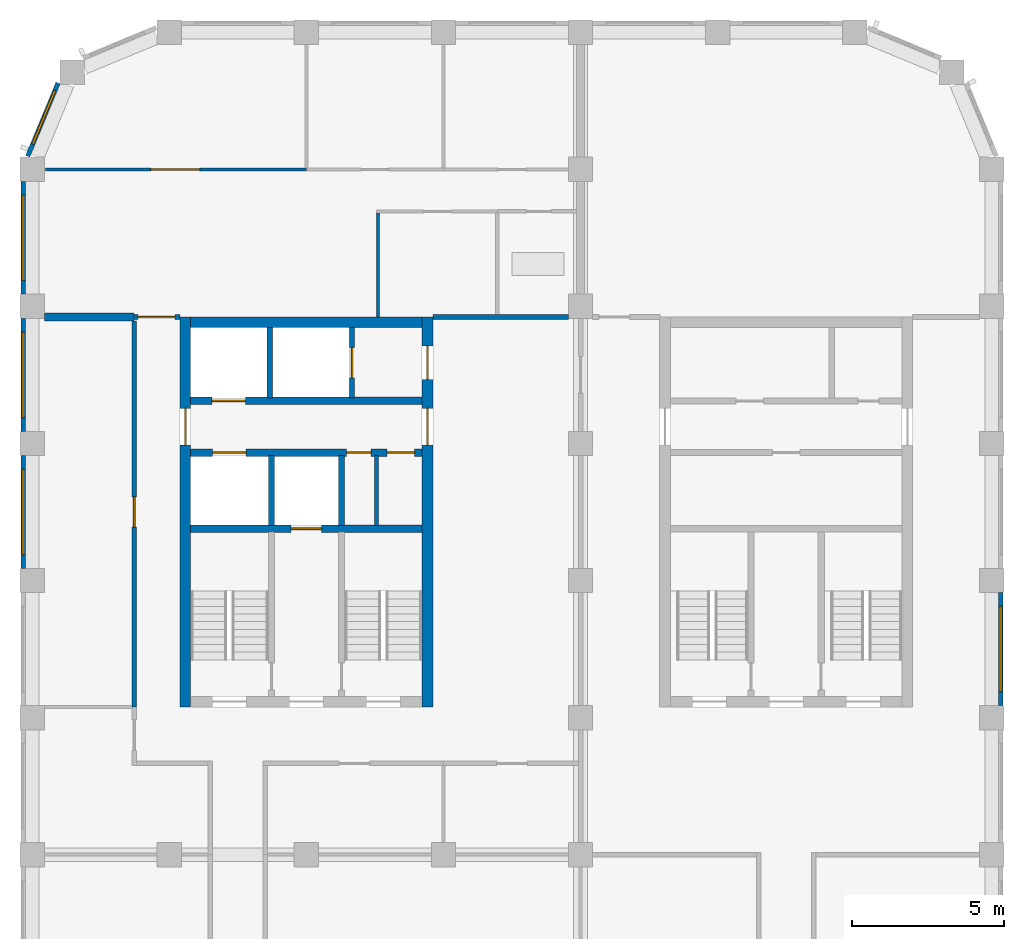
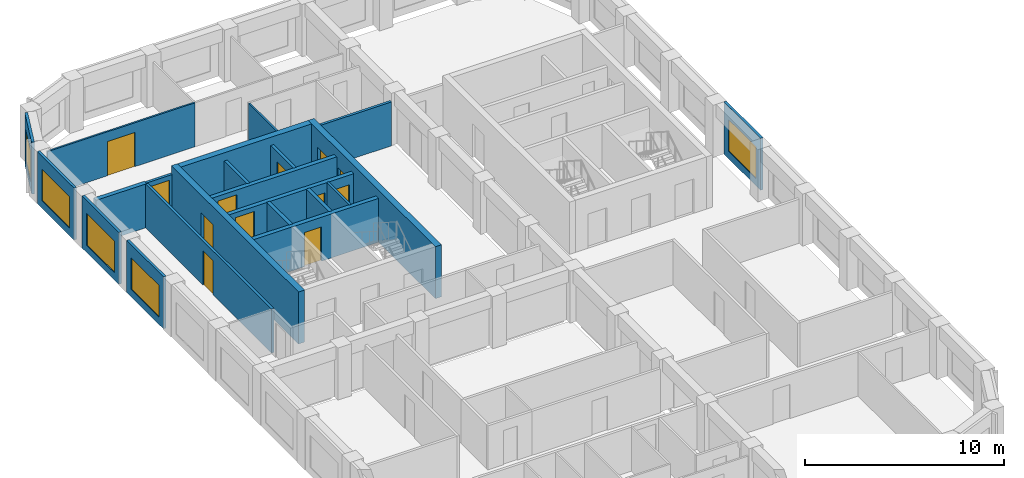
# One storey, part 5 of 9: 22 walls, 12 doors, 5 windows, 17 openings.
"""IFC4 building model written with IfcOpenShell, lengths in metres."""

from ifc_helpers import new_model, si_unit, direction, frame, frame_2d, origin, place, context, subcontext, project, spatial, rectangle, extrude, material, layer, layer_set, type_object, element, fill, save


model = new_model("IFC4")

# Units and contexts
model_context = context("Model", 3, precision=1e-05, world=origin(), true_north=direction((0.0, 1.0)))
body_context = subcontext(model_context, "Body", "Model", "MODEL_VIEW")
ifc_project = project(units=[si_unit("LENGTHUNIT", "METRE"), si_unit("AREAUNIT", "SQUARE_METRE"), si_unit("VOLUMEUNIT", "CUBIC_METRE"), si_unit("PLANEANGLEUNIT", "RADIAN"), si_unit("MASSUNIT", "GRAM", prefix="KILO")], contexts=[model_context])

# Site, building, storey
site_placement = place(None, origin())
site = spatial("IfcSite", under=ifc_project, at=site_placement, CompositionType="ELEMENT")
building_placement = place(site_placement, origin())
building = spatial("IfcBuilding", under=site, at=building_placement, Name="Girih Gate Residences", CompositionType="ELEMENT")
storey_placement = place(building_placement, frame((0.0, 0.0, 198.699951171875)))
storey = spatial("IfcBuildingStorey", under=building, at=storey_placement, Name="L55", CompositionType="ELEMENT", Elevation=198.699951171875)

# Wall
ifc_material_1 = material(Name="Gypsum board on steel studs", Category="steel")
ifc_layer_1 = layer(ifc_material_1, 0.25)
ifc_layer_set_1 = layer_set([ifc_layer_1], Name="Acoustic separating wall 250 mm")
wall_type_1 = type_object("IfcWallType", Name="Acoustic separating wall 250 mm", PredefinedType="PARTITIONING", material=ifc_layer_set_1)
wall_1_placement = place(storey_placement, frame((0.39990234375, 40.14990234375, 0.0), z_axis=(0.0, 0.0, 1.0), x_axis=(1.0, 0.0, 0.0)))
element("IfcWall", 1, at=wall_1_placement, inside=storey, type_object=wall_type_1, Name="L55 partition", PredefinedType="PARTITIONING", context=body_context, shape_type="SweptSolid", body=[
    extrude(rectangle(XDim=2.9501953125, YDim=0.25, at=frame_2d((1.47509765625, 0.0))), origin(), (0.0, 0.0, 1.0), 2.699951171875),
])

# Wall, opening, door
ifc_layer_2 = layer(ifc_material_1, 0.14990234375)
ifc_layer_set_2 = layer_set([ifc_layer_2], Name="Compartment wall 150 mm")
wall_type_2 = type_object("IfcWallType", Name="Compartment wall 150 mm", PredefinedType="PARTITIONING", material=ifc_layer_set_2)
wall_2_placement = place(storey_placement, frame((3.35009765625, 40.14990234375, 0.0), z_axis=(0.0, 0.0, 1.0), x_axis=(1.0, 0.0, 0.0)))
wall_2 = element("IfcWall", 2, at=wall_2_placement, inside=storey, type_object=wall_type_2, Name="L55 partition", PredefinedType="PARTITIONING", context=body_context, shape_type="SweptSolid", body=[
    extrude(rectangle(XDim=1.5, YDim=0.14990234375, at=frame_2d((0.75, 0.0))), origin(), (0.0, 0.0, 1.0), 2.699951171875),
])
opening_1_placement = place(wall_2_placement, frame((0.1298828125, 0.0, 0.0)))
opening_1 = element("IfcOpeningElement", 3, at=opening_1_placement, cuts=wall_2, Name="Opening A55-016", PredefinedType="OPENING", context=body_context, shape_type="SweptSolid", body=[
    extrude(rectangle(XDim=1.199951171875, YDim=2.39990234375, at=frame_2d((0.60009765625, 1.199951171875))), frame((0.0, 0.0849609375, 0.0), z_axis=(0.0, -1.0, 0.0), x_axis=(1.0, 0.0, 0.0)), (0.0, 0.0, 1.0), 0.169921875),
])
ifc_material_2 = material(Name="Timber, fire-rated core", Category="wood")
door_type_1 = type_object("IfcDoorType", Name="Villa entrance door 1200x2400 FD30S", OperationType="NOTDEFINED", PredefinedType="DOOR", material=ifc_material_2)
door_1_placement = place(opening_1_placement, origin())
door_1 = element("IfcDoor", 4, at=door_1_placement, inside=storey, type_object=door_type_1, Name="Door A55-016", OperationType="SINGLE_SWING_LEFT", OverallHeight=2.39990234375, OverallWidth=1.199951171875, PredefinedType="DOOR", context=body_context, shape_type="SweptSolid", body=[
    extrude(rectangle(XDim=1.199951171875, YDim=2.39990234375, at=frame_2d((0.60009765625, 1.199951171875))), frame((0.0, 0.02490234375, 0.0), z_axis=(0.0, -1.0, 0.0), x_axis=(1.0, 0.0, 0.0)), (0.0, 0.0, 1.0), 0.050048828125),
])
fill(opening_1, door_1)

# Wall
wall_3_placement = place(storey_placement, frame((13.14990234375, 40.14990234375, 0.0), z_axis=(0.0, 0.0, 1.0), x_axis=(1.0, 0.0, 0.0)))
element("IfcWall", 5, at=wall_3_placement, inside=storey, type_object=wall_type_2, Name="L55 partition", PredefinedType="PARTITIONING", context=body_context, shape_type="SweptSolid", body=[
    extrude(rectangle(XDim=4.4501953125, YDim=0.14990234375, at=frame_2d((2.22509765625, 0.0))), origin(), (0.0, 0.0, 1.0), 2.699951171875),
])

# Wall, opening, door
wall_4_placement = place(storey_placement, frame((3.35009765625, 27.35009765625, 0.0), z_axis=(0.0, 0.0, 1.0), x_axis=(0.0, 1.0, 0.0)))
wall_4 = element("IfcWall", 6, at=wall_4_placement, inside=storey, type_object=wall_type_2, Name="L55 partition", PredefinedType="PARTITIONING", context=body_context, shape_type="SweptSolid", body=[
    extrude(rectangle(XDim=12.6748046875, YDim=0.14990234375, at=frame_2d((6.33740234375, 0.0))), origin(), (0.0, 0.0, 1.0), 2.699951171875),
])
opening_2_placement = place(wall_4_placement, frame((5.89990234375, 0.0, 0.0)))
opening_2 = element("IfcOpeningElement", 7, at=opening_2_placement, cuts=wall_4, Name="Opening A55-029", PredefinedType="OPENING", context=body_context, shape_type="SweptSolid", body=[
    extrude(rectangle(XDim=1.0, YDim=2.10009765625, at=frame_2d((0.5, 1.050048828125))), frame((0.0, 0.0849609375, 0.0), z_axis=(0.0, -1.0, 0.0), x_axis=(1.0, 0.0, 0.0)), (0.0, 0.0, 1.0), 0.169921875),
])
door_type_2 = type_object("IfcDoorType", Name="Amenity room door 1000x2100 FD30S", OperationType="NOTDEFINED", PredefinedType="DOOR", material=ifc_material_2)
door_2_placement = place(opening_2_placement, origin())
door_2 = element("IfcDoor", 8, at=door_2_placement, inside=storey, type_object=door_type_2, Name="Door A55-029", OperationType="SINGLE_SWING_RIGHT", OverallHeight=2.10009765625, OverallWidth=1.0, PredefinedType="DOOR", context=body_context, shape_type="SweptSolid", body=[
    extrude(rectangle(XDim=1.0, YDim=2.10009765625, at=frame_2d((0.5, 1.050048828125))), frame((0.0, 0.02490234375, 0.0), z_axis=(0.0, -1.0, 0.0), x_axis=(1.0, 0.0, 0.0)), (0.0, 0.0, 1.0), 0.050048828125),
])
fill(opening_2, door_2)

# Wall
ifc_material_3 = material(Name="Concrete C60/75", Category="concrete")
ifc_layer_3 = layer(ifc_material_3, 0.35009765625)
ifc_layer_set_3 = layer_set([ifc_layer_3], Name="Core wall RC 350 Concrete C60/75")
wall_type_3 = type_object("IfcWallType", Name="Core wall RC 350 Concrete C60/75", PredefinedType="SOLIDWALL", material=ifc_layer_set_3)
wall_5_placement = place(storey_placement, frame((5.199951171875, 39.97509765625, 0.0), z_axis=(0.0, 0.0, 1.0), x_axis=(1.0, 0.0, 0.0)))
element("IfcWall", 9, at=wall_5_placement, inside=storey, type_object=wall_type_3, Name="Core wall W-N L55", PredefinedType="SOLIDWALL", context=body_context, shape_type="SweptSolid", body=[
    extrude(rectangle(XDim=7.60009765625, YDim=0.35009765625, at=frame_2d((3.800048828125, 0.0))), origin(), (0.0, 0.0, 1.0), 3.199951171875),
])

# Wall, opening, door
wall_6_placement = place(storey_placement, frame((5.02490234375, 27.35009765625, 0.0), z_axis=(0.0, 0.0, 1.0), x_axis=(0.0, 1.0, 0.0)))
wall_6 = element("IfcWall", 10, at=wall_6_placement, inside=storey, type_object=wall_type_3, Name="Core wall W-W L55", PredefinedType="SOLIDWALL", context=body_context, shape_type="SweptSolid", body=[
    extrude(rectangle(XDim=12.7998046875, YDim=0.35009765625, at=frame_2d((6.39990234375, 0.0))), origin(), (0.0, 0.0, 1.0), 3.199951171875),
])
opening_3_placement = place(wall_6_placement, frame((8.60009765625, 0.0, 0.0)))
opening_3 = element("IfcOpeningElement", 11, at=opening_3_placement, cuts=wall_6, Name="Opening D-L55-W-013", PredefinedType="OPENING", context=body_context, shape_type="SweptSolid", body=[
    extrude(rectangle(XDim=1.199951171875, YDim=2.10009765625, at=frame_2d((0.60009765625, 1.050048828125))), frame((0.0, 0.18505859375, 0.0), z_axis=(0.0, -1.0, 0.0), x_axis=(1.0, 0.0, 0.0)), (0.0, 0.0, 1.0), 0.3701171875),
])
ifc_material_4 = material(Name="Painted steel, fire-resisting", Category="steel")
door_type_3 = type_object("IfcDoorType", Name="Fire door 1200x2100", OperationType="SINGLE_SWING_LEFT", PredefinedType="DOOR", material=ifc_material_4)
door_3_placement = place(opening_3_placement, origin())
door_3 = element("IfcDoor", 12, at=door_3_placement, inside=storey, type_object=door_type_3, Name="L55 W core door ll-w", OperationType="SINGLE_SWING_LEFT", OverallHeight=2.10009765625, OverallWidth=1.199951171875, PredefinedType="DOOR", context=body_context, shape_type="SweptSolid", body=[
    extrude(rectangle(XDim=1.199951171875, YDim=2.10009765625, at=frame_2d((0.60009765625, 1.050048828125))), frame((0.0, 0.02490234375, 0.0), z_axis=(0.0, -1.0, 0.0), x_axis=(1.0, 0.0, 0.0)), (0.0, 0.0, 1.0), 0.050048828125),
])
fill(opening_3, door_3)

# Wall, openings, doors
wall_7_placement = place(storey_placement, frame((12.97509765625, 27.35009765625, 0.0), z_axis=(0.0, 0.0, 1.0), x_axis=(0.0, 1.0, 0.0)))
wall_7 = element("IfcWall", 13, at=wall_7_placement, inside=storey, type_object=wall_type_3, Name="Core wall W-E L55", PredefinedType="SOLIDWALL", context=body_context, shape_type="SweptSolid", body=[
    extrude(rectangle(XDim=12.7998046875, YDim=0.35009765625, at=frame_2d((6.39990234375, 0.0))), origin(), (0.0, 0.0, 1.0), 3.199951171875),
])
opening_4_placement = place(wall_7_placement, frame((10.75, 0.0, 0.0)))
opening_4 = element("IfcOpeningElement", 14, at=opening_4_placement, cuts=wall_7, Name="Opening D-L55-W-012", PredefinedType="OPENING", context=body_context, shape_type="SweptSolid", body=[
    extrude(rectangle(XDim=1.10009765625, YDim=2.10009765625, at=frame_2d((0.550048828125, 1.050048828125))), frame((0.0, 0.18505859375, 0.0), z_axis=(0.0, -1.0, 0.0), x_axis=(1.0, 0.0, 0.0)), (0.0, 0.0, 1.0), 0.3701171875),
])
opening_5_placement = place(wall_7_placement, frame((8.60009765625, 0.0, 0.0)))
opening_5 = element("IfcOpeningElement", 15, at=opening_5_placement, cuts=wall_7, Name="Opening D-L55-W-014", PredefinedType="OPENING", context=body_context, shape_type="SweptSolid", body=[
    extrude(rectangle(XDim=1.199951171875, YDim=2.10009765625, at=frame_2d((0.60009765625, 1.050048828125))), frame((0.0, 0.18505859375, 0.0), z_axis=(0.0, -1.0, 0.0), x_axis=(1.0, 0.0, 0.0)), (0.0, 0.0, 1.0), 0.3701171875),
])
door_type_4 = type_object("IfcDoorType", Name="Fire door 1100x2100", OperationType="SINGLE_SWING_LEFT", PredefinedType="DOOR", material=ifc_material_4)
door_4_placement = place(opening_4_placement, origin())
door_4 = element("IfcDoor", 16, at=door_4_placement, inside=storey, type_object=door_type_4, Name="L55 W core door ffl2-e", OperationType="SINGLE_SWING_LEFT", OverallHeight=2.10009765625, OverallWidth=1.10009765625, PredefinedType="DOOR", context=body_context, shape_type="SweptSolid", body=[
    extrude(rectangle(XDim=1.10009765625, YDim=2.10009765625, at=frame_2d((0.550048828125, 1.050048828125))), frame((0.0, 0.02490234375, 0.0), z_axis=(0.0, -1.0, 0.0), x_axis=(1.0, 0.0, 0.0)), (0.0, 0.0, 1.0), 0.050048828125),
])
fill(opening_4, door_4)
door_5_placement = place(opening_5_placement, origin())
door_5 = element("IfcDoor", 17, at=door_5_placement, inside=storey, type_object=door_type_3, Name="L55 W core door ll-e", OperationType="SINGLE_SWING_LEFT", OverallHeight=2.10009765625, OverallWidth=1.199951171875, PredefinedType="DOOR", context=body_context, shape_type="SweptSolid", body=[
    extrude(rectangle(XDim=1.199951171875, YDim=2.10009765625, at=frame_2d((0.60009765625, 1.050048828125))), frame((0.0, 0.02490234375, 0.0), z_axis=(0.0, -1.0, 0.0), x_axis=(1.0, 0.0, 0.0)), (0.0, 0.0, 1.0), 0.050048828125),
])
fill(opening_5, door_5)

# Wall, opening, door
ifc_material_5 = material(Name="Concrete C40/50", Category="concrete")
ifc_layer_4 = layer(ifc_material_5, 0.25)
ifc_layer_set_4 = layer_set([ifc_layer_4], Name="Lift shaft wall 250")
wall_type_4 = type_object("IfcWallType", Name="Lift shaft wall 250", PredefinedType="SOLIDWALL", material=ifc_layer_set_4)
wall_8_placement = place(storey_placement, frame((5.199951171875, 33.199951171875, 0.0), z_axis=(0.0, 0.0, 1.0), x_axis=(1.0, 0.0, 0.0)))
wall_8 = element("IfcWall", 18, at=wall_8_placement, inside=storey, type_object=wall_type_4, Name="L55 W core wall H1", PredefinedType="SOLIDWALL", context=body_context, shape_type="SweptSolid", body=[
    extrude(rectangle(XDim=7.60009765625, YDim=0.25, at=frame_2d((3.800048828125, 0.0))), origin(), (0.0, 0.0, 1.0), 2.699951171875),
])
opening_6_placement = place(wall_8_placement, frame((3.300048828125, 0.0, 0.0)))
opening_6 = element("IfcOpeningElement", 19, at=opening_6_placement, cuts=wall_8, Name="Opening D-L55-W-006", PredefinedType="OPENING", context=body_context, shape_type="SweptSolid", body=[
    extrude(rectangle(XDim=1.0, YDim=2.10009765625, at=frame_2d((0.5, 1.050048828125))), frame((0.0, 0.135009765625, 0.0), z_axis=(0.0, -1.0, 0.0), x_axis=(1.0, 0.0, 0.0)), (0.0, 0.0, 1.0), 0.27001953125),
])
ifc_material_6 = material(Name="Stainless steel, fire-resisting", Category="steel")
door_type_5 = type_object("IfcDoorType", Name="Firefighting lift landing door 1000x2100", OperationType="SLIDING_TO_LEFT", PredefinedType="DOOR", material=ifc_material_6)
door_6_placement = place(opening_6_placement, origin())
door_6 = element("IfcDoor", 20, at=door_6_placement, inside=storey, type_object=door_type_5, Name="L55 lift FF-W landing door", OperationType="SLIDING_TO_LEFT", OverallHeight=2.10009765625, OverallWidth=1.0, PredefinedType="DOOR", context=body_context, shape_type="SweptSolid", body=[
    extrude(rectangle(XDim=1.0, YDim=2.10009765625, at=frame_2d((0.5, 1.050048828125))), frame((0.0, 0.02490234375, 0.0), z_axis=(0.0, -1.0, 0.0), x_axis=(1.0, 0.0, 0.0)), (0.0, 0.0, 1.0), 0.050048828125),
])
fill(opening_6, door_6)

# Wall, openings, doors
wall_9_placement = place(storey_placement, frame((5.199951171875, 35.699951171875, 0.0), z_axis=(0.0, 0.0, 1.0), x_axis=(1.0, 0.0, 0.0)))
wall_9 = element("IfcWall", 21, at=wall_9_placement, inside=storey, type_object=wall_type_4, Name="L55 W core wall H2", PredefinedType="SOLIDWALL", context=body_context, shape_type="SweptSolid", body=[
    extrude(rectangle(XDim=7.60009765625, YDim=0.25, at=frame_2d((3.800048828125, 0.0))), origin(), (0.0, 0.0, 1.0), 2.699951171875),
])
opening_7_placement = place(wall_9_placement, frame((0.72509765625, 0.0, 0.0)))
opening_7 = element("IfcOpeningElement", 22, at=opening_7_placement, cuts=wall_9, Name="Opening D-L55-W-005", PredefinedType="OPENING", context=body_context, shape_type="SweptSolid", body=[
    extrude(rectangle(XDim=1.10009765625, YDim=2.39990234375, at=frame_2d((0.550048828125, 1.199951171875))), frame((0.0, 0.135009765625, 0.0), z_axis=(0.0, -1.0, 0.0), x_axis=(1.0, 0.0, 0.0)), (0.0, 0.0, 1.0), 0.27001953125),
])
opening_8_placement = place(wall_9_placement, frame((5.125, 0.0, 0.0)))
opening_8 = element("IfcOpeningElement", 23, at=opening_8_placement, cuts=wall_9, Name="Opening D-L55-W-007", PredefinedType="OPENING", context=body_context, shape_type="SweptSolid", body=[
    extrude(rectangle(XDim=0.800048828125, YDim=2.10009765625, at=frame_2d((0.39990234375, 1.050048828125))), frame((0.0, 0.135009765625, 0.0), z_axis=(0.0, -1.0, 0.0), x_axis=(1.0, 0.0, 0.0)), (0.0, 0.0, 1.0), 0.27001953125),
])
opening_9_placement = place(wall_9_placement, frame((6.449951171875, 0.0, 0.0)))
opening_9 = element("IfcOpeningElement", 24, at=opening_9_placement, cuts=wall_9, Name="Opening D-L55-W-008", PredefinedType="OPENING", context=body_context, shape_type="SweptSolid", body=[
    extrude(rectangle(XDim=0.89990234375, YDim=2.10009765625, at=frame_2d((0.449951171875, 1.050048828125))), frame((0.0, 0.135009765625, 0.0), z_axis=(0.0, -1.0, 0.0), x_axis=(1.0, 0.0, 0.0)), (0.0, 0.0, 1.0), 0.27001953125),
])
door_type_6 = type_object("IfcDoorType", Name="Fire door 800x2100", OperationType="SINGLE_SWING_LEFT", PredefinedType="DOOR", material=ifc_material_4)
door_7_placement = place(opening_8_placement, origin())
door_7 = element("IfcDoor", 25, at=door_7_placement, inside=storey, type_object=door_type_6, Name="L55 W store door", OperationType="SINGLE_SWING_LEFT", OverallHeight=2.10009765625, OverallWidth=0.800048828125, PredefinedType="DOOR", context=body_context, shape_type="SweptSolid", body=[
    extrude(rectangle(XDim=0.800048828125, YDim=2.10009765625, at=frame_2d((0.39990234375, 1.050048828125))), frame((0.0, 0.02490234375, 0.0), z_axis=(0.0, -1.0, 0.0), x_axis=(1.0, 0.0, 0.0)), (0.0, 0.0, 1.0), 0.050048828125),
])
fill(opening_8, door_7)
door_type_7 = type_object("IfcDoorType", Name="Fire door 900x2100", OperationType="SINGLE_SWING_LEFT", PredefinedType="DOOR", material=ifc_material_4)
door_8_placement = place(opening_9_placement, origin())
door_8 = element("IfcDoor", 26, at=door_8_placement, inside=storey, type_object=door_type_7, Name="L55 W comms room door", OperationType="SINGLE_SWING_LEFT", OverallHeight=2.10009765625, OverallWidth=0.89990234375, PredefinedType="DOOR", context=body_context, shape_type="SweptSolid", body=[
    extrude(rectangle(XDim=0.89990234375, YDim=2.10009765625, at=frame_2d((0.449951171875, 1.050048828125))), frame((0.0, 0.02490234375, 0.0), z_axis=(0.0, -1.0, 0.0), x_axis=(1.0, 0.0, 0.0)), (0.0, 0.0, 1.0), 0.050048828125),
])
fill(opening_9, door_8)
ifc_material_7 = material(Name="Stainless steel", Category="steel")
door_type_8 = type_object("IfcDoorType", Name="Lift landing door 1100x2400", OperationType="SLIDING_TO_LEFT", PredefinedType="DOOR", material=ifc_material_7)
door_9_placement = place(opening_7_placement, origin())
door_9 = element("IfcDoor", 27, at=door_9_placement, inside=storey, type_object=door_type_8, Name="L55 lift HR-W1 landing door", OperationType="SLIDING_TO_LEFT", OverallHeight=2.39990234375, OverallWidth=1.10009765625, PredefinedType="DOOR", context=body_context, shape_type="SweptSolid", body=[
    extrude(rectangle(XDim=1.10009765625, YDim=2.39990234375, at=frame_2d((0.550048828125, 1.199951171875))), frame((0.0, 0.02490234375, 0.0), z_axis=(0.0, -1.0, 0.0), x_axis=(1.0, 0.0, 0.0)), (0.0, 0.0, 1.0), 0.050048828125),
])
fill(opening_7, door_9)

# Wall, opening, door
wall_10_placement = place(storey_placement, frame((5.199951171875, 37.39990234375, 0.0), z_axis=(0.0, 0.0, 1.0), x_axis=(1.0, 0.0, 0.0)))
wall_10 = element("IfcWall", 28, at=wall_10_placement, inside=storey, type_object=wall_type_4, Name="L55 W core wall H3", PredefinedType="SOLIDWALL", context=body_context, shape_type="SweptSolid", body=[
    extrude(rectangle(XDim=7.60009765625, YDim=0.25, at=frame_2d((3.800048828125, 0.0))), origin(), (0.0, 0.0, 1.0), 2.699951171875),
])
opening_10_placement = place(wall_10_placement, frame((0.699951171875, 0.0, 0.0)))
opening_10 = element("IfcOpeningElement", 29, at=opening_10_placement, cuts=wall_10, Name="Opening D-L55-W-003", PredefinedType="OPENING", context=body_context, shape_type="SweptSolid", body=[
    extrude(rectangle(XDim=1.10009765625, YDim=2.39990234375, at=frame_2d((0.550048828125, 1.199951171875))), frame((0.0, 0.135009765625, 0.0), z_axis=(0.0, -1.0, 0.0), x_axis=(1.0, 0.0, 0.0)), (0.0, 0.0, 1.0), 0.27001953125),
])
door_10_placement = place(opening_10_placement, origin())
door_10 = element("IfcDoor", 30, at=door_10_placement, inside=storey, type_object=door_type_8, Name="L55 lift LR-W1 landing door", OperationType="SLIDING_TO_LEFT", OverallHeight=2.39990234375, OverallWidth=1.10009765625, PredefinedType="DOOR", context=body_context, shape_type="SweptSolid", body=[
    extrude(rectangle(XDim=1.10009765625, YDim=2.39990234375, at=frame_2d((0.550048828125, 1.199951171875))), frame((0.0, 0.02490234375, 0.0), z_axis=(0.0, -1.0, 0.0), x_axis=(1.0, 0.0, 0.0)), (0.0, 0.0, 1.0), 0.050048828125),
])
fill(opening_10, door_10)

# Wall
ifc_layer_5 = layer(ifc_material_1, 0.10009765625)
ifc_layer_set_5 = layer_set([ifc_layer_5], Name="Partition 100 mm")
wall_type_5 = type_object("IfcWallType", Name="Partition 100 mm", PredefinedType="PARTITIONING", material=ifc_layer_set_5)
wall_11_placement = place(storey_placement, frame((11.35009765625, 40.14990234375, 0.0), z_axis=(0.0, 0.0, 1.0), x_axis=(0.0, 1.0, 0.0)))
element("IfcWall", 31, at=wall_11_placement, inside=storey, type_object=wall_type_5, Name="L55 partition", PredefinedType="PARTITIONING", context=body_context, shape_type="SweptSolid", body=[
    extrude(rectangle(XDim=3.420166015625, YDim=0.10009765625, at=frame_2d((1.7099609375, 0.0))), origin(), (0.0, 0.0, 1.0), 2.699951171875),
])

# Wall, opening, door
wall_12_placement = place(storey_placement, frame((0.432861328125, 45.0, 0.0), z_axis=(0.0, 0.0, 1.0), x_axis=(1.0, 0.0, 0.0)))
wall_12 = element("IfcWall", 32, at=wall_12_placement, inside=storey, type_object=wall_type_5, Name="L55 partition", PredefinedType="PARTITIONING", context=body_context, shape_type="SweptSolid", body=[
    extrude(rectangle(XDim=8.567138671875, YDim=0.10009765625, at=frame_2d((4.28369140625, 0.0))), origin(), (0.0, 0.0, 1.0), 2.699951171875),
])
opening_11_placement = place(wall_12_placement, frame((3.467041015625, 0.0, 0.0)))
opening_11 = element("IfcOpeningElement", 33, at=opening_11_placement, cuts=wall_12, Name="Opening A55-015", PredefinedType="OPENING", context=body_context, shape_type="SweptSolid", body=[
    extrude(rectangle(XDim=1.60009765625, YDim=2.10009765625, at=frame_2d((0.800048828125, 1.050048828125))), frame((0.0, 0.06005859375, 0.0), z_axis=(0.0, -1.0, 0.0), x_axis=(1.0, 0.0, 0.0)), (0.0, 0.0, 1.0), 0.1201171875),
])
ifc_material_8 = material(Name="Timber", Category="wood")
door_type_9 = type_object("IfcDoorType", Name="Double leaf door 1600x2100", OperationType="NOTDEFINED", PredefinedType="DOOR", material=ifc_material_8)
door_11_placement = place(opening_11_placement, origin())
door_11 = element("IfcDoor", 34, at=door_11_placement, inside=storey, type_object=door_type_9, Name="Door A55-015", OperationType="SINGLE_SWING_LEFT", OverallHeight=2.10009765625, OverallWidth=1.60009765625, PredefinedType="DOOR", context=body_context, shape_type="SweptSolid", body=[
    extrude(rectangle(XDim=1.60009765625, YDim=2.10009765625, at=frame_2d((0.800048828125, 1.050048828125))), frame((0.0, 0.02490234375, 0.0), z_axis=(0.0, -1.0, 0.0), x_axis=(1.0, 0.0, 0.0)), (0.0, 0.0, 1.0), 0.050048828125),
])
fill(opening_11, door_11)

# Wall, opening, window
ifc_material_9 = material(Name="Precast concrete C50/60", Category="concrete")
ifc_layer_6 = layer(ifc_material_9, 0.050048828125, Name="Outer leaf")
ifc_material_10 = material(Name="Rigid PIR insulation")
ifc_layer_7 = layer(ifc_material_10, 0.06005859375, Name="Insulation")
ifc_material_11 = material(Name="Precast concrete C40/50", Category="concrete")
ifc_layer_8 = layer(ifc_material_11, 0.0400390625, Name="Inner leaf")
ifc_layer_set_6 = layer_set([ifc_layer_6, ifc_layer_7, ifc_layer_8], Name="Precast concrete C50/60 external wall 150")
wall_type_6 = type_object("IfcWallType", Name="Precast concrete C50/60 external wall 150", PredefinedType="SOLIDWALL", material=ifc_layer_set_6)
wall_13_placement = place(storey_placement, frame((31.800048828125, 31.10009765625, 0.0), z_axis=(0.0, 0.0, 1.0), x_axis=(0.0, -1.0, 0.0)))
wall_13 = element("IfcWall", 35, at=wall_13_placement, inside=storey, type_object=wall_type_6, Name="External wall E0315_0045.5", PredefinedType="SOLIDWALL", context=body_context, shape_type="SweptSolid", body=[
    extrude(rectangle(XDim=3.7001953125, YDim=0.14990234375, at=frame_2d((1.85009765625, 0.0))), origin(), (0.0, 0.0, 1.0), 3.199951171875),
])
opening_12_placement = place(wall_13_placement, frame((0.449951171875, 0.0, 0.449951171875)))
opening_12 = element("IfcOpeningElement", 36, at=opening_12_placement, cuts=wall_13, Name="Opening W-1B", PredefinedType="OPENING", context=body_context, shape_type="SweptSolid", body=[
    extrude(rectangle(XDim=2.800048828125, YDim=1.949951171875, at=frame_2d((1.39990234375, 0.97509765625))), frame((0.0, 0.0849609375, 0.0), z_axis=(0.0, -1.0, 0.0), x_axis=(1.0, 0.0, 0.0)), (0.0, 0.0, 1.0), 0.169921875),
])
ifc_material_12 = material(Name="Double glazing in aluminium frame", Category="aluminium")
window_type_1 = type_object("IfcWindowType", Name="Window W-1B 2800x1950", PartitioningType="SINGLE_PANEL", PredefinedType="WINDOW", material=ifc_material_12)
window_1_placement = place(opening_12_placement, origin())
window_1 = element("IfcWindow", 37, at=window_1_placement, inside=storey, type_object=window_type_1, Name="Window W-1B E0315_0045.5", OverallHeight=1.949951171875, OverallWidth=2.800048828125, PartitioningType="SINGLE_PANEL", PredefinedType="WINDOW", context=body_context, shape_type="SweptSolid", body=[
    extrude(rectangle(XDim=2.800048828125, YDim=1.949951171875, at=frame_2d((1.39990234375, 0.97509765625))), frame((0.0, 0.030029296875, 0.0), z_axis=(0.0, -1.0, 0.0), x_axis=(1.0, 0.0, 0.0)), (0.0, 0.0, 1.0), 0.06005859375),
])
fill(opening_12, window_1)

wall_14_placement = place(storey_placement, frame((-0.147216796875, 45.4287109375, 0.0), z_axis=(0.0, 0.0, 1.0), x_axis=(0.382669406082, 0.923885342263, 0.0)))
wall_14 = element("IfcWall", 38, at=wall_14_placement, inside=storey, type_object=wall_type_6, Name="External wall NW0013_0482.0", PredefinedType="SOLIDWALL", context=body_context, shape_type="SweptSolid", body=[
    extrude(rectangle(XDim=2.602294921875, YDim=0.14990234375, at=frame_2d((1.30126953125, 0.0))), origin(), (0.0, 0.0, 1.0), 3.199951171875),
])
opening_13_placement = place(wall_14_placement, frame((0.432373046875, 0.0, 0.449951171875)))
opening_13 = element("IfcOpeningElement", 39, at=opening_13_placement, cuts=wall_14, Name="Opening W-2G", PredefinedType="OPENING", context=body_context, shape_type="SweptSolid", body=[
    extrude(rectangle(XDim=1.89990234375, YDim=1.949951171875, at=frame_2d((0.949951171875, 0.97509765625))), frame((0.0, 0.0849609375, 0.0), z_axis=(0.0, -1.0, 0.0), x_axis=(1.0, 0.0, 0.0)), (0.0, 0.0, 1.0), 0.169921875),
])
window_type_2 = type_object("IfcWindowType", Name="Window W-2G 1900x1950", PartitioningType="SINGLE_PANEL", PredefinedType="WINDOW", material=ifc_material_12)
window_2_placement = place(opening_13_placement, origin())
window_2 = element("IfcWindow", 40, at=window_2_placement, inside=storey, type_object=window_type_2, Name="Window W-2G NW0013_0482.0", OverallHeight=1.949951171875, OverallWidth=1.89990234375, PartitioningType="SINGLE_PANEL", PredefinedType="WINDOW", context=body_context, shape_type="SweptSolid", body=[
    extrude(rectangle(XDim=1.89990234375, YDim=1.949951171875, at=frame_2d((0.949951171875, 0.97509765625))), frame((0.0, 0.030029296875, 0.0), z_axis=(0.0, -1.0, 0.0), x_axis=(1.0, 0.0, 0.0)), (0.0, 0.0, 1.0), 0.06005859375),
])
fill(opening_13, window_2)

wall_15_placement = place(storey_placement, frame((-0.300048828125, 40.89990234375, 0.0), z_axis=(0.0, 0.0, 1.0), x_axis=(0.0, 1.0, 0.0)))
wall_15 = element("IfcWall", 41, at=wall_15_placement, inside=storey, type_object=wall_type_6, Name="External wall W0000_0450.0", PredefinedType="SOLIDWALL", context=body_context, shape_type="SweptSolid", body=[
    extrude(rectangle(XDim=3.7001953125, YDim=0.14990234375, at=frame_2d((1.85009765625, 0.0))), origin(), (0.0, 0.0, 1.0), 3.199951171875),
])
opening_14_placement = place(wall_15_placement, frame((0.449951171875, 0.0, 0.449951171875)))
opening_14 = element("IfcOpeningElement", 42, at=opening_14_placement, cuts=wall_15, Name="Opening W-1B", PredefinedType="OPENING", context=body_context, shape_type="SweptSolid", body=[
    extrude(rectangle(XDim=2.800048828125, YDim=1.949951171875, at=frame_2d((1.39990234375, 0.97509765625))), frame((0.0, 0.0849609375, 0.0), z_axis=(0.0, -1.0, 0.0), x_axis=(1.0, 0.0, 0.0)), (0.0, 0.0, 1.0), 0.169921875),
])
window_3_placement = place(opening_14_placement, origin())
window_3 = element("IfcWindow", 43, at=window_3_placement, inside=storey, type_object=window_type_1, Name="Window W-1B W0000_0450.0", OverallHeight=1.949951171875, OverallWidth=2.800048828125, PartitioningType="SINGLE_PANEL", PredefinedType="WINDOW", context=body_context, shape_type="SweptSolid", body=[
    extrude(rectangle(XDim=2.800048828125, YDim=1.949951171875, at=frame_2d((1.39990234375, 0.97509765625))), frame((0.0, 0.030029296875, 0.0), z_axis=(0.0, -1.0, 0.0), x_axis=(1.0, 0.0, 0.0)), (0.0, 0.0, 1.0), 0.06005859375),
])
fill(opening_14, window_3)

wall_16_placement = place(storey_placement, frame((-0.300048828125, 36.39990234375, 0.0), z_axis=(0.0, 0.0, 1.0), x_axis=(0.0, 1.0, 0.0)))
wall_16 = element("IfcWall", 44, at=wall_16_placement, inside=storey, type_object=wall_type_6, Name="External wall W0000_0450.1", PredefinedType="SOLIDWALL", context=body_context, shape_type="SweptSolid", body=[
    extrude(rectangle(XDim=3.7001953125, YDim=0.14990234375, at=frame_2d((1.85009765625, 0.0))), origin(), (0.0, 0.0, 1.0), 3.199951171875),
])
opening_15_placement = place(wall_16_placement, frame((0.449951171875, 0.0, 0.449951171875)))
opening_15 = element("IfcOpeningElement", 45, at=opening_15_placement, cuts=wall_16, Name="Opening W-1B", PredefinedType="OPENING", context=body_context, shape_type="SweptSolid", body=[
    extrude(rectangle(XDim=2.800048828125, YDim=1.949951171875, at=frame_2d((1.39990234375, 0.97509765625))), frame((0.0, 0.0849609375, 0.0), z_axis=(0.0, -1.0, 0.0), x_axis=(1.0, 0.0, 0.0)), (0.0, 0.0, 1.0), 0.169921875),
])
window_4_placement = place(opening_15_placement, origin())
window_4 = element("IfcWindow", 46, at=window_4_placement, inside=storey, type_object=window_type_1, Name="Window W-1B W0000_0450.1", OverallHeight=1.949951171875, OverallWidth=2.800048828125, PartitioningType="SINGLE_PANEL", PredefinedType="WINDOW", context=body_context, shape_type="SweptSolid", body=[
    extrude(rectangle(XDim=2.800048828125, YDim=1.949951171875, at=frame_2d((1.39990234375, 0.97509765625))), frame((0.0, 0.030029296875, 0.0), z_axis=(0.0, -1.0, 0.0), x_axis=(1.0, 0.0, 0.0)), (0.0, 0.0, 1.0), 0.06005859375),
])
fill(opening_15, window_4)

wall_17_placement = place(storey_placement, frame((-0.300048828125, 31.89990234375, 0.0), z_axis=(0.0, 0.0, 1.0), x_axis=(0.0, 1.0, 0.0)))
wall_17 = element("IfcWall", 47, at=wall_17_placement, inside=storey, type_object=wall_type_6, Name="External wall W0000_0450.2", PredefinedType="SOLIDWALL", context=body_context, shape_type="SweptSolid", body=[
    extrude(rectangle(XDim=3.7001953125, YDim=0.14990234375, at=frame_2d((1.85009765625, 0.0))), origin(), (0.0, 0.0, 1.0), 3.199951171875),
])
opening_16_placement = place(wall_17_placement, frame((0.449951171875, 0.0, 0.449951171875)))
opening_16 = element("IfcOpeningElement", 48, at=opening_16_placement, cuts=wall_17, Name="Opening W-1B", PredefinedType="OPENING", context=body_context, shape_type="SweptSolid", body=[
    extrude(rectangle(XDim=2.800048828125, YDim=1.949951171875, at=frame_2d((1.39990234375, 0.97509765625))), frame((0.0, 0.0849609375, 0.0), z_axis=(0.0, -1.0, 0.0), x_axis=(1.0, 0.0, 0.0)), (0.0, 0.0, 1.0), 0.169921875),
])
window_5_placement = place(opening_16_placement, origin())
window_5 = element("IfcWindow", 49, at=window_5_placement, inside=storey, type_object=window_type_1, Name="Window W-1B W0000_0450.2", OverallHeight=1.949951171875, OverallWidth=2.800048828125, PartitioningType="SINGLE_PANEL", PredefinedType="WINDOW", context=body_context, shape_type="SweptSolid", body=[
    extrude(rectangle(XDim=2.800048828125, YDim=1.949951171875, at=frame_2d((1.39990234375, 0.97509765625))), frame((0.0, 0.030029296875, 0.0), z_axis=(0.0, -1.0, 0.0), x_axis=(1.0, 0.0, 0.0)), (0.0, 0.0, 1.0), 0.06005859375),
])
fill(opening_16, window_5)

# Wall
ifc_layer_9 = layer(ifc_material_5, 0.175048828125)
ifc_layer_set_7 = layer_set([ifc_layer_9], Name="Riser shaft wall 175")
wall_type_7 = type_object("IfcWallType", Name="Riser shaft wall 175", PredefinedType="SOLIDWALL", material=ifc_layer_set_7)
wall_18_placement = place(storey_placement, frame((7.800048828125, 37.5, 0.0), z_axis=(0.0, 0.0, 1.0), x_axis=(0.0, 1.0, 0.0)))
element("IfcWall", 50, at=wall_18_placement, inside=storey, type_object=wall_type_7, Name="L55 W core wall V1c", PredefinedType="SOLIDWALL", context=body_context, shape_type="SweptSolid", body=[
    extrude(rectangle(XDim=2.300048828125, YDim=0.175048828125, at=frame_2d((1.14990234375, 0.0))), origin(), (0.0, 0.0, 1.0), 2.699951171875),
])

# Wall, opening, door
wall_19_placement = place(storey_placement, frame((10.5, 37.5, 0.0), z_axis=(0.0, 0.0, 1.0), x_axis=(0.0, 1.0, 0.0)))
wall_19 = element("IfcWall", 51, at=wall_19_placement, inside=storey, type_object=wall_type_7, Name="L55 W core wall V2c", PredefinedType="SOLIDWALL", context=body_context, shape_type="SweptSolid", body=[
    extrude(rectangle(XDim=2.300048828125, YDim=0.175048828125, at=frame_2d((1.14990234375, 0.0))), origin(), (0.0, 0.0, 1.0), 2.699951171875),
])
opening_17_placement = place(wall_19_placement, frame((0.64990234375, 0.0, 0.0)))
opening_17 = element("IfcOpeningElement", 52, at=opening_17_placement, cuts=wall_19, Name="Opening D-L55-W-004", PredefinedType="OPENING", context=body_context, shape_type="SweptSolid", body=[
    extrude(rectangle(XDim=1.0, YDim=2.10009765625, at=frame_2d((0.5, 1.050048828125))), frame((0.0, 0.097412109375, 0.0), z_axis=(0.0, -1.0, 0.0), x_axis=(1.0, 0.0, 0.0)), (0.0, 0.0, 1.0), 0.195068359375),
])
door_12_placement = place(opening_17_placement, origin())
door_12 = element("IfcDoor", 53, at=door_12_placement, inside=storey, type_object=door_type_5, Name="L55 lift FF-W2 landing door", OperationType="SLIDING_TO_LEFT", OverallHeight=2.10009765625, OverallWidth=1.0, PredefinedType="DOOR", context=body_context, shape_type="SweptSolid", body=[
    extrude(rectangle(XDim=1.0, YDim=2.10009765625, at=frame_2d((0.5, 1.050048828125))), frame((0.0, 0.02490234375, 0.0), z_axis=(0.0, -1.0, 0.0), x_axis=(1.0, 0.0, 0.0)), (0.0, 0.0, 1.0), 0.050048828125),
])
fill(opening_17, door_12)

# Walls
ifc_layer_10 = layer(ifc_material_5, 0.199951171875)
ifc_layer_set_8 = layer_set([ifc_layer_10], Name="Shaft wall 200")
wall_type_8 = type_object("IfcWallType", Name="Shaft wall 200", PredefinedType="SOLIDWALL", material=ifc_layer_set_8)
for number, where, z_axis, x_axis, name in (
    (54, (7.85009765625, 33.300048828125, 0.0), (0.0, 0.0, 1.0), (0.0, 1.0, 0.0), "L55 W core wall V1b"),
    (55, (10.14990234375, 33.300048828125, 0.0), (0.0, 0.0, 1.0), (0.0, 1.0, 0.0), "L55 W core wall V2b"),
):
    element("IfcWall", number, at=place(storey_placement, frame(where, z_axis=z_axis, x_axis=x_axis)), inside=storey, type_object=wall_type_8, Name=name, PredefinedType="SOLIDWALL", context=body_context, shape_type="SweptSolid", body=[
        extrude(rectangle(XDim=2.300048828125, YDim=0.199951171875, at=frame_2d((1.14990234375, 0.0))), origin(), (0.0, 0.0, 1.0), 2.699951171875),
    ])
ifc_material_13 = material(Name="Calcium silicate blockwork", Category="masonry")
ifc_layer_11 = layer(ifc_material_13, 0.125)
ifc_layer_set_9 = layer_set([ifc_layer_11], Name="Store partition 125")
wall_type_9 = type_object("IfcWallType", Name="Store partition 125", PredefinedType="PARTITIONING", material=ifc_layer_set_9)
wall_20_placement = place(storey_placement, frame((11.300048828125, 33.300048828125, 0.0), z_axis=(0.0, 0.0, 1.0), x_axis=(0.0, 1.0, 0.0)))
element("IfcWall", 56, at=wall_20_placement, inside=storey, type_object=wall_type_9, Name="L55 W core wall SHR2", PredefinedType="PARTITIONING", context=body_context, shape_type="SweptSolid", body=[
    extrude(rectangle(XDim=2.300048828125, YDim=0.125, at=frame_2d((1.14990234375, 0.0))), origin(), (0.0, 0.0, 1.0), 2.699951171875),
])

save(model, "model.ifc")
